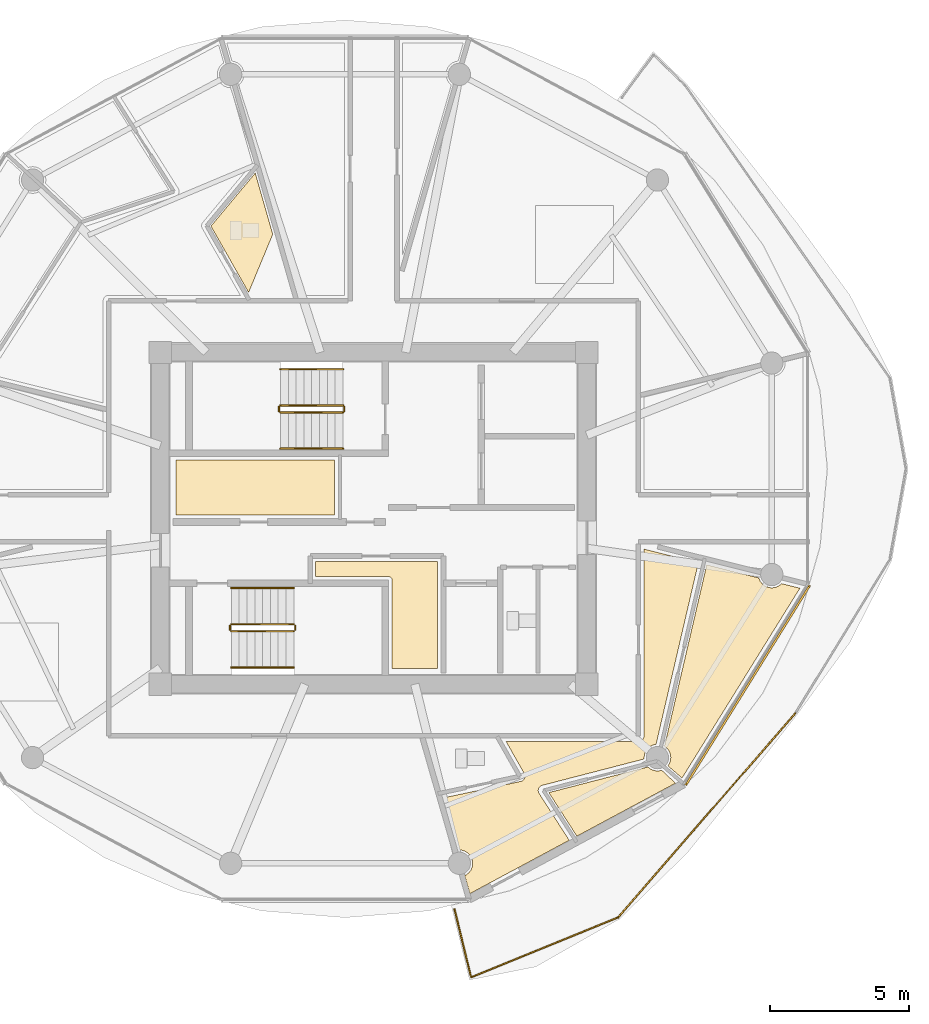
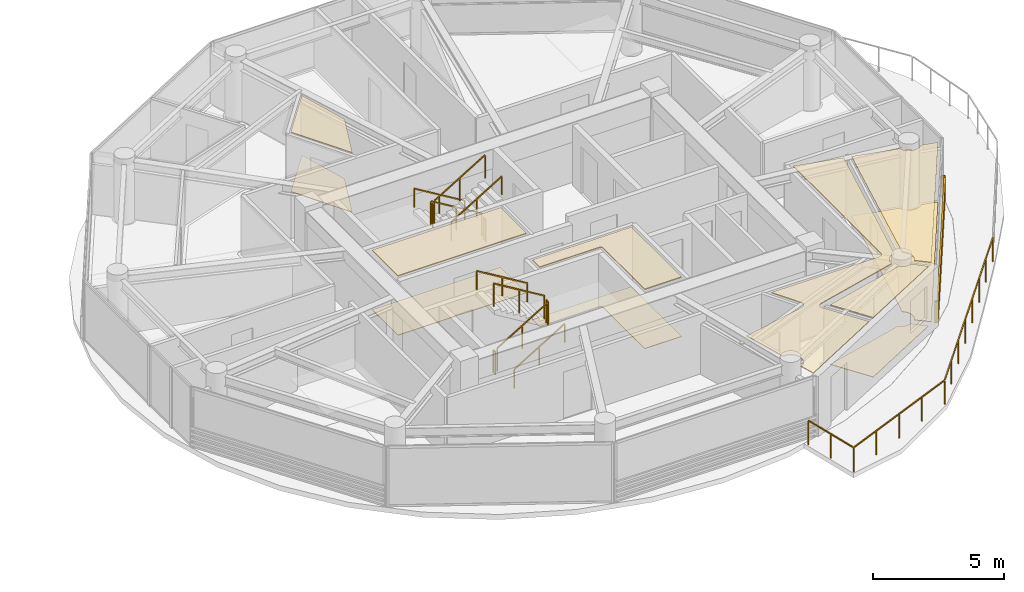
# One storey, part 23 of 25: 13 railings, 11 coverings, 1 shading device.
"""IFC4 building model written with IfcOpenShell, lengths in metres."""

from ifc_helpers import new_model, si_unit, direction, frame, origin, origin_2d, place, context, subcontext, project, spatial, polyline, rectangle, outline, extrude, source, transform, mapped, material, layer, layer_set, type_object, type_shapes, element, save


model = new_model("IFC4")

# Units and contexts
model_context = context("Model", 3, precision=1e-05, world=origin(), true_north=direction((0.0, 1.0)))
body_context = subcontext(model_context, "Body", "Model", "MODEL_VIEW")
ifc_project = project(units=[si_unit("LENGTHUNIT", "METRE"), si_unit("AREAUNIT", "SQUARE_METRE"), si_unit("VOLUMEUNIT", "CUBIC_METRE"), si_unit("PLANEANGLEUNIT", "RADIAN"), si_unit("MASSUNIT", "GRAM", prefix="KILO")], contexts=[model_context])

# Site, building, storey
site_placement = place(None, origin())
site = spatial("IfcSite", under=ifc_project, at=site_placement, CompositionType="ELEMENT")
building_placement = place(site_placement, origin())
building = spatial("IfcBuilding", under=site, at=building_placement, Name="Norrkilde Senior Care Towers", CompositionType="ELEMENT")
storey_placement = place(building_placement, frame((0.0, 0.0, 161.75)))
storey = spatial("IfcBuildingStorey", under=building, at=storey_placement, Name="L50", CompositionType="ELEMENT", Elevation=161.75)

# Coverings
ifc_material_1 = material(Name="Nordic Ash Timber", Category="wood")
ifc_layer_1 = layer(ifc_material_1, 0.044921875)
ifc_layer_set_1 = layer_set([ifc_layer_1], Name="Nordic Ash Timber")
covering_type_1 = type_object("IfcCoveringType", Name="Acoustic Ash Timber Slatted Ceiling 45", PredefinedType="CEILING", material=ifc_layer_set_1)
covering_1_placement = place(storey_placement, frame((0.0, 0.0, 2.764892578125)))
element("IfcCovering", 1, at=covering_1_placement, inside=storey, type_object=covering_type_1, Name="L50 Suspended Ceiling 0318", PredefinedType="CEILING", context=body_context, shape_type="SweptSolid", body=[
    extrude(outline(polyline([(20.919921875, 0.1201171875), (20.919921875, 2.090087890625), (26.60009765625, 2.090087890625), (26.60009765625, 0.1201171875), (20.919921875, 0.1201171875)])), origin(), (0.0, 0.0, 1.0), 0.045166015625),
])
covering_2_placement = place(storey_placement, frame((0.0, 0.0, 2.764892578125)))
element("IfcCovering", 2, at=covering_2_placement, inside=storey, type_object=covering_type_1, Name="L50 Suspended Ceiling 0319", PredefinedType="CEILING", context=body_context, shape_type="SweptSolid", body=[
    extrude(outline(polyline([(28.65478515625, -2.175048828125), (28.65087890625, -2.1640625), (28.645751953125, -2.1533203125), (28.639892578125, -2.143310546875), (28.6328125, -2.1337890625), (28.624755859375, -2.125244140625), (28.6162109375, -2.1171875), (28.606689453125, -2.110107421875), (28.5966796875, -2.104248046875), (28.5859375, -2.09912109375), (28.574951171875, -2.09521484375), (28.5634765625, -2.09228515625), (28.5517578125, -2.090576171875), (28.5400390625, -2.090087890625), (25.919921875, -2.090087890625), (25.919921875, -1.5400390625), (30.2900390625, -1.5400390625), (30.2900390625, -5.3798828125), (28.659912109375, -5.3798828125), (28.659912109375, -2.2099609375), (28.659423828125, -2.1982421875), (28.65771484375, -2.1865234375), (28.65478515625, -2.175048828125)])), origin(), (0.0, 0.0, 1.0), 0.045166015625),
])
covering_3_placement = place(storey_placement, frame((0.0, 0.0, 2.764892578125)))
element("IfcCovering", 3, at=covering_3_placement, inside=storey, type_object=covering_type_1, Name="L50 Suspended Ceiling 0330", PredefinedType="CEILING", context=body_context, shape_type="SweptSolid", body=[
    extrude(outline(polyline([(33.328125, -9.419921875), (33.338623046875, -9.414306640625), (33.344482421875, -9.41064453125), (33.354248046875, -9.40380859375), (33.359619140625, -9.399658203125), (33.36865234375, -9.39208984375), (33.373779296875, -9.38720703125), (33.382080078125, -9.378662109375), (33.386474609375, -9.37353515625), (33.393798828125, -9.3642578125), (33.39794921875, -9.358642578125), (33.404296875, -9.3486328125), (33.40771484375, -9.342529296875), (33.4130859375, -9.33203125), (33.416015625, -9.32568359375), (33.420166015625, -9.314697265625), (33.42236328125, -9.30810546875), (33.42578125, -9.296630859375), (33.42724609375, -9.2900390625), (33.42919921875, -9.2783203125), (33.43017578125, -9.271484375), (33.43115234375, -9.259765625), (33.43115234375, -9.252685546875), (33.430908203125, -9.240966796875), (33.430419921875, -9.23388671875), (33.428955078125, -9.22216796875), (33.427734375, -9.21533203125), (33.42529296875, -9.203857421875), (33.42333984375, -9.197265625), (33.419677734375, -9.18603515625), (33.417236328125, -9.179443359375), (33.412353515625, -9.168701171875), (33.4091796875, -9.162353515625), (33.406494140625, -9.1572265625), (32.748779296875, -8.0), (37.5, -8.0), (37.505859375, -7.999755859375), (37.513671875, -7.99951171875), (37.525390625, -7.998291015625), (37.533203125, -7.9970703125), (37.544677734375, -7.994873046875), (37.552490234375, -7.992919921875), (37.563720703125, -7.989501953125), (37.571044921875, -7.98681640625), (37.58203125, -7.982421875), (37.589111328125, -7.97900390625), (37.599365234375, -7.973388671875), (37.606201171875, -7.969482421875), (37.615966796875, -7.962890625), (37.622314453125, -7.958251953125), (37.63134765625, -7.95068359375), (37.63720703125, -7.945556640625), (37.6455078125, -7.937255859375), (37.65087890625, -7.931396484375), (37.658203125, -7.92236328125), (37.662841796875, -7.916015625), (37.66943359375, -7.90625), (37.673583984375, -7.8994140625), (37.678955078125, -7.888916015625), (37.682373046875, -7.8818359375), (37.68701171875, -7.87109375), (37.689453125, -7.86376953125), (37.69287109375, -7.852294921875), (37.69482421875, -7.8447265625), (37.697265625, -7.833251953125), (37.6982421875, -7.825439453125), (37.699462890625, -7.813720703125), (37.699951171875, -7.805908203125), (37.699951171875, -7.800048828125), (37.699951171875, -1.103759765625), (39.649658203125, -1.593505859375), (38.13232421875, -8.1103515625), (38.058349609375, -8.1201171875), (37.942626953125, -8.16796875), (37.84326171875, -8.244384765625), (37.766845703125, -8.34375), (37.718994140625, -8.45947265625), (37.70263671875, -8.583740234375), (37.708984375, -8.632568359375), (34.0478515625, -9.57958984375), (34.0419921875, -9.581298828125), (34.035400390625, -9.58349609375), (34.024169921875, -9.587646484375), (34.017822265625, -9.59033203125), (34.007080078125, -9.595458984375), (34.0009765625, -9.598876953125), (33.990966796875, -9.60498046875), (33.985107421875, -9.60888671875), (33.9755859375, -9.6162109375), (33.970458984375, -9.62060546875), (33.961669921875, -9.62890625), (33.956787109375, -9.6337890625), (33.948974609375, -9.642822265625), (33.944580078125, -9.648193359375), (33.937744140625, -9.657958984375), (33.933837890625, -9.663818359375), (33.927978515625, -9.674072265625), (33.9248046875, -9.680419921875), (33.919921875, -9.691162109375), (33.917236328125, -9.69775390625), (33.91357421875, -9.708984375), (33.91162109375, -9.715576171875), (33.908935546875, -9.727294921875), (33.90771484375, -9.734130859375), (33.90625, -9.74609375), (33.90576171875, -9.7529296875), (33.905517578125, -9.764892578125), (33.90576171875, -9.771728515625), (33.906494140625, -9.78369140625), (33.907470703125, -9.79052734375), (33.909423828125, -9.80224609375), (33.9111328125, -9.80908203125), (33.914306640625, -9.820556640625), (33.91650390625, -9.8271484375), (33.9208984375, -9.83837890625), (33.923583984375, -9.8447265625), (33.928955078125, -9.855224609375), (33.9326171875, -9.861328125), (33.935546875, -9.866455078125), (35.017578125, -11.548828125), (31.45556640625, -13.46142578125), (31.26953125, -12.810791015625), (31.3173828125, -12.791259765625), (31.416748046875, -12.71484375), (31.492919921875, -12.615478515625), (31.541015625, -12.499755859375), (31.557373046875, -12.37548828125), (31.541015625, -12.251220703125), (31.492919921875, -12.135498046875), (31.416748046875, -12.0361328125), (31.3173828125, -11.959716796875), (31.201416015625, -11.911865234375), (31.077392578125, -11.8955078125), (31.010498046875, -11.904296875), (30.475830078125, -10.034423828125), (33.28076171875, -9.43701171875), (33.28662109375, -9.435546875), (33.293212890625, -9.433837890625), (33.3046875, -9.43017578125), (33.31103515625, -9.427734375), (33.322021484375, -9.423095703125), (33.328125, -9.419921875)])), origin(), (0.0, 0.0, 1.0), 0.045166015625),
])
covering_4_placement = place(storey_placement, frame((0.0, 0.0, 2.764892578125)))
element("IfcCovering", 4, at=covering_4_placement, inside=storey, type_object=covering_type_1, Name="L50 Suspended Ceiling 0331", PredefinedType="CEILING", context=body_context, shape_type="SweptSolid", body=[
    extrude(outline(polyline([(38.830810546875, -9.50146484375), (35.29150390625, -11.40185546875), (34.2861328125, -9.83837890625), (37.83984375, -8.9189453125), (37.84326171875, -8.923095703125), (37.942626953125, -8.99951171875), (38.058349609375, -9.04736328125), (38.1826171875, -9.063720703125), (38.306884765625, -9.04736328125), (38.334228515625, -9.0361328125), (38.830810546875, -9.50146484375)])), origin(), (0.0, 0.0, 1.0), 0.045166015625),
])
covering_5_placement = place(storey_placement, frame((0.0, 0.0, 2.764892578125)))
element("IfcCovering", 5, at=covering_5_placement, inside=storey, type_object=covering_type_1, Name="L50 Suspended Ceiling 0332", PredefinedType="CEILING", context=body_context, shape_type="SweptSolid", body=[
    extrude(outline(polyline([(39.064697265625, -9.31689453125), (38.557373046875, -8.876953125), (38.598388671875, -8.82373046875), (38.646240234375, -8.7080078125), (38.66259765625, -8.583740234375), (38.646240234375, -8.45947265625), (38.598388671875, -8.34375), (38.52197265625, -8.244384765625), (38.434814453125, -8.177490234375), (39.950439453125, -1.6689453125), (41.821044921875, -2.138916015625), (41.8212890625, -2.140625), (41.869140625, -2.25634765625), (41.945556640625, -2.355712890625), (42.044921875, -2.43212890625), (42.16064453125, -2.47998046875), (42.284912109375, -2.496337890625), (42.4091796875, -2.47998046875), (42.52490234375, -2.43212890625), (42.624267578125, -2.355712890625), (42.634033203125, -2.343017578125), (43.291748046875, -2.508056640625), (39.064697265625, -9.31689453125)])), origin(), (0.0, 0.0, 1.0), 0.045166015625),
])

# Railing
ifc_material_2 = material(Name="Anodised Aluminium", Category="aluminium")
railing_type_1 = type_object("IfcRailingType", Name="Balcony Swirl Ribbon Guardrail 1150", PredefinedType="GUARDRAIL", material=ifc_material_2)
railing_1_placement = place(storey_placement, frame((43.12890625, -6.992919921875, 0.0)))
element("IfcRailing", 6, at=railing_1_placement, inside=storey, type_object=railing_type_1, Name="L50 Perimeter Safety Guard 01", PredefinedType="GUARDRAIL", context=body_context, shape_type="SweptSolid", body=[
    extrude(rectangle(XDim=0.048095703125, YDim=0.048095703125, at=origin_2d()), frame((0.0, 0.0, 1.1259765625), z_axis=(-0.655887093823, -0.754859006806, 0.0), x_axis=(0.754859006806, -0.655887093823, 0.0)), (0.0, 0.0, 1.0), 9.660888671875),
    extrude(rectangle(XDim=0.048095703125, YDim=0.048095703125, at=origin_2d()), frame((-6.401123046875, -7.3388671875, 1.1259765625), z_axis=(-0.925786665349, -0.378046359938, 0.0), x_axis=(0.378046359938, -0.925786665349, 0.0)), (0.0, 0.0, 1.0), 5.6083984375),
    extrude(rectangle(XDim=0.048095703125, YDim=0.048095703125, at=origin_2d()), frame((-11.640869140625, -9.434814453125, 1.1259765625), z_axis=(-0.236543151845, 0.971620984394, 0.0), x_axis=(-0.971620984394, -0.236543151845, 0.0)), (0.0, 0.0, 1.0), 2.463134765625),
    extrude(rectangle(XDim=0.0419921875, YDim=0.0419921875, at=origin_2d()), origin(), (0.0, 0.0, 1.0), 1.099853515625),
    extrude(rectangle(XDim=0.0419921875, YDim=0.0419921875, at=origin_2d()), frame((-0.908935546875, -1.046142578125, 0.0)), (0.0, 0.0, 1.0), 1.099853515625),
    extrude(rectangle(XDim=0.0419921875, YDim=0.0419921875, at=origin_2d()), frame((-1.818115234375, -2.092529296875, 0.0)), (0.0, 0.0, 1.0), 1.099853515625),
    extrude(rectangle(XDim=0.0419921875, YDim=0.0419921875, at=origin_2d()), frame((-2.72705078125, -3.138671875, 0.0)), (0.0, 0.0, 1.0), 1.099853515625),
    extrude(rectangle(XDim=0.0419921875, YDim=0.0419921875, at=origin_2d()), frame((-3.63623046875, -4.184814453125, 0.0)), (0.0, 0.0, 1.0), 1.099853515625),
    extrude(rectangle(XDim=0.0419921875, YDim=0.0419921875, at=origin_2d()), frame((-4.545166015625, -5.23095703125, 0.0)), (0.0, 0.0, 1.0), 1.099853515625),
    extrude(rectangle(XDim=0.0419921875, YDim=0.0419921875, at=origin_2d()), frame((-5.454345703125, -6.27734375, 0.0)), (0.0, 0.0, 1.0), 1.099853515625),
    extrude(rectangle(XDim=0.0419921875, YDim=0.0419921875, at=origin_2d()), frame((-6.36328125, -7.323486328125, 0.0)), (0.0, 0.0, 1.0), 1.099853515625),
    extrude(rectangle(XDim=0.0419921875, YDim=0.0419921875, at=origin_2d()), frame((-7.68017578125, -7.861328125, 0.0)), (0.0, 0.0, 1.0), 1.099853515625),
    extrude(rectangle(XDim=0.0419921875, YDim=0.0419921875, at=origin_2d()), frame((-8.9970703125, -8.39892578125, 0.0)), (0.0, 0.0, 1.0), 1.099853515625),
    extrude(rectangle(XDim=0.0419921875, YDim=0.0419921875, at=origin_2d()), frame((-10.314208984375, -8.936767578125, 0.0)), (0.0, 0.0, 1.0), 1.099853515625),
    extrude(rectangle(XDim=0.0419921875, YDim=0.0419921875, at=origin_2d()), frame((-11.631103515625, -9.474609375, 0.0)), (0.0, 0.0, 1.0), 1.099853515625),
    extrude(rectangle(XDim=0.0419921875, YDim=0.0419921875, at=origin_2d()), frame((-11.92724609375, -8.25830078125, 0.0)), (0.0, 0.0, 1.0), 1.099853515625),
    extrude(rectangle(XDim=0.0419921875, YDim=0.0419921875, at=origin_2d()), frame((-12.223388671875, -7.041748046875, 0.0)), (0.0, 0.0, 1.0), 1.099853515625),
])

# Coverings
ifc_material_3 = material(Name="Gypsum Acoustic Board")
ifc_layer_2 = layer(ifc_material_3, 0.030029296875)
ifc_layer_set_2 = layer_set([ifc_layer_2], Name="Gypsum Acoustic Board")
covering_type_2 = type_object("IfcCoveringType", Name="Medical Cleanable Gypsum Ceiling 30", PredefinedType="CEILING", material=ifc_layer_set_2)
covering_6_placement = place(storey_placement, frame((0.0, 0.0, 2.780029296875)))
element("IfcCovering", 7, at=covering_6_placement, inside=storey, type_object=covering_type_2, Name="L50 Suspended Ceiling 0326", PredefinedType="CEILING", context=body_context, shape_type="SweptSolid", body=[
    extrude(outline(polyline([(23.755126953125, 12.384033203125), (24.382568359375, 10.18896484375), (23.517333984375, 8.1025390625), (22.165771484375, 10.480712890625), (23.755126953125, 12.384033203125)])), origin(), (0.0, 0.0, 1.0), 0.030029296875),
])
ifc_material_4 = material(Name="Slip-Resistant Porcelain Stone", Category="masonry")
ifc_layer_3 = layer(ifc_material_4, 0.02490234375)
ifc_layer_set_3 = layer_set([ifc_layer_3], Name="Slip-Resistant Porcelain Stone")
covering_type_3 = type_object("IfcCoveringType", Name="Slip-Resistant Porcelain Flooring 25", PredefinedType="FLOORING", material=ifc_layer_set_3)
covering_7_placement = place(storey_placement, origin())
element("IfcCovering", 8, at=covering_7_placement, inside=storey, type_object=covering_type_3, Name="L50 Floor Finish 0318", PredefinedType="FLOORING", context=body_context, shape_type="SweptSolid", body=[
    extrude(outline(polyline([(20.919921875, 0.1201171875), (20.919921875, 2.090087890625), (26.60009765625, 2.090087890625), (26.60009765625, 0.1201171875), (20.919921875, 0.1201171875)])), origin(), (0.0, 0.0, 1.0), 0.02490234375),
])
covering_8_placement = place(storey_placement, origin())
element("IfcCovering", 9, at=covering_8_placement, inside=storey, type_object=covering_type_3, Name="L50 Floor Finish 0319", PredefinedType="FLOORING", context=body_context, shape_type="SweptSolid", body=[
    extrude(outline(polyline([(28.65478515625, -2.175048828125), (28.65087890625, -2.1640625), (28.645751953125, -2.1533203125), (28.639892578125, -2.143310546875), (28.6328125, -2.1337890625), (28.624755859375, -2.125244140625), (28.6162109375, -2.1171875), (28.606689453125, -2.110107421875), (28.5966796875, -2.104248046875), (28.5859375, -2.09912109375), (28.574951171875, -2.09521484375), (28.5634765625, -2.09228515625), (28.5517578125, -2.090576171875), (28.5400390625, -2.090087890625), (25.919921875, -2.090087890625), (25.919921875, -1.5400390625), (30.2900390625, -1.5400390625), (30.2900390625, -5.3798828125), (28.659912109375, -5.3798828125), (28.659912109375, -2.2099609375), (28.659423828125, -2.1982421875), (28.65771484375, -2.1865234375), (28.65478515625, -2.175048828125)])), origin(), (0.0, 0.0, 1.0), 0.02490234375),
])
covering_9_placement = place(storey_placement, origin())
element("IfcCovering", 10, at=covering_9_placement, inside=storey, type_object=covering_type_3, Name="L50 Floor Finish 0326", PredefinedType="FLOORING", context=body_context, shape_type="SweptSolid", body=[
    extrude(outline(polyline([(23.755126953125, 12.384033203125), (24.382568359375, 10.18896484375), (23.517333984375, 8.1025390625), (22.165771484375, 10.480712890625), (23.755126953125, 12.384033203125)])), origin(), (0.0, 0.0, 1.0), 0.02490234375),
])
covering_10_placement = place(storey_placement, origin())
element("IfcCovering", 11, at=covering_10_placement, inside=storey, type_object=covering_type_3, Name="L50 Floor Finish 0331", PredefinedType="FLOORING", context=body_context, shape_type="SweptSolid", body=[
    extrude(outline(polyline([(38.830810546875, -9.50146484375), (35.29150390625, -11.40185546875), (34.2861328125, -9.83837890625), (37.83984375, -8.9189453125), (37.84326171875, -8.923095703125), (37.942626953125, -8.99951171875), (38.058349609375, -9.04736328125), (38.1826171875, -9.063720703125), (38.306884765625, -9.04736328125), (38.334228515625, -9.0361328125), (38.830810546875, -9.50146484375)])), origin(), (0.0, 0.0, 1.0), 0.02490234375),
])
covering_11_placement = place(storey_placement, origin())
element("IfcCovering", 12, at=covering_11_placement, inside=storey, type_object=covering_type_3, Name="L50 Floor Finish 0332", PredefinedType="FLOORING", context=body_context, shape_type="SweptSolid", body=[
    extrude(outline(polyline([(39.064697265625, -9.31689453125), (38.557373046875, -8.876953125), (38.598388671875, -8.82373046875), (38.646240234375, -8.7080078125), (38.66259765625, -8.583740234375), (38.646240234375, -8.45947265625), (38.598388671875, -8.34375), (38.52197265625, -8.244384765625), (38.434814453125, -8.177490234375), (39.950439453125, -1.6689453125), (41.821044921875, -2.138916015625), (41.8212890625, -2.140625), (41.869140625, -2.25634765625), (41.945556640625, -2.355712890625), (42.044921875, -2.43212890625), (42.16064453125, -2.47998046875), (42.284912109375, -2.496337890625), (42.4091796875, -2.47998046875), (42.52490234375, -2.43212890625), (42.624267578125, -2.355712890625), (42.634033203125, -2.343017578125), (43.291748046875, -2.508056640625), (39.064697265625, -9.31689453125)])), origin(), (0.0, 0.0, 1.0), 0.02490234375),
])

# Railings
ifc_material_5 = material(Name="Stainless Steel", Category="steel")
railing_type_2 = type_object("IfcRailingType", Name="Stair and Terrace Guardrail 1100", PredefinedType="GUARDRAIL", material=ifc_material_5)
railing_2_placement = place(storey_placement, frame((26.89990234375, 4.050048828125, 0.16943359375)))
element("IfcRailing", 13, at=railing_2_placement, inside=storey, type_object=railing_type_2, Name="L50 ST-E1 stair guard 1", PredefinedType="GUARDRAIL", context=body_context, shape_type="SweptSolid", body=[
    extrude(rectangle(XDim=0.048095703125, YDim=0.048095703125, at=origin_2d()), frame((0.0, 0.0, 1.076171875), z_axis=(-0.855553338991, 0.0, 0.51771467445), x_axis=(0.0, -1.0, 0.0)), (0.0, 0.0, 1.0), 2.6181640625),
    extrude(rectangle(XDim=0.0419921875, YDim=0.0419921875, at=origin_2d()), origin(), (0.0, 0.0, 1.0), 1.050048828125),
    extrude(rectangle(XDim=0.0419921875, YDim=0.0419921875, at=origin_2d()), frame((-1.1201171875, 0.0, 0.677734375)), (0.0, 0.0, 1.0), 1.050048828125),
    extrude(rectangle(XDim=0.0419921875, YDim=0.0419921875, at=origin_2d()), frame((-2.239990234375, 0.0, 1.35546875)), (0.0, 0.0, 1.0), 1.050048828125),
])
railing_3_placement = place(storey_placement, frame((24.610107421875, 4.0, 1.52490234375)))
element("IfcRailing", 14, at=railing_3_placement, inside=storey, type_object=railing_type_2, Name="L50 ST-E1 stair guard 2", PredefinedType="GUARDRAIL", context=body_context, shape_type="SweptSolid", body=[
    extrude(rectangle(XDim=0.048095703125, YDim=0.048095703125, at=origin_2d()), frame((0.0, 0.0, 1.076171875), z_axis=(0.0, -1.0, 0.0), x_axis=(1.0, 0.0, 0.0)), (0.0, 0.0, 1.0), 0.14990234375),
    extrude(rectangle(XDim=0.0419921875, YDim=0.0419921875, at=origin_2d()), origin(), (0.0, 0.0, 1.0), 1.050048828125),
    extrude(rectangle(XDim=0.0419921875, YDim=0.0419921875, at=origin_2d()), frame((0.0, -0.14990234375, 0.0)), (0.0, 0.0, 1.0), 1.050048828125),
])
railing_4_placement = place(storey_placement, frame((24.659912109375, 3.800048828125, 1.6943359375)))
element("IfcRailing", 15, at=railing_4_placement, inside=storey, type_object=railing_type_2, Name="L50 ST-E1 stair guard 3", PredefinedType="GUARDRAIL", context=body_context, shape_type="SweptSolid", body=[
    extrude(rectangle(XDim=0.048095703125, YDim=0.048095703125, at=origin_2d()), frame((0.0, 0.0, 1.076171875), z_axis=(0.855512035549, 0.0, 0.517782924622), x_axis=(0.0, 1.0, 0.0)), (0.0, 0.0, 1.0), 2.618408203125),
    extrude(rectangle(XDim=0.0419921875, YDim=0.0419921875, at=origin_2d()), origin(), (0.0, 0.0, 1.0), 1.050048828125),
    extrude(rectangle(XDim=0.0419921875, YDim=0.0419921875, at=origin_2d()), frame((1.1201171875, 0.0, 0.677734375)), (0.0, 0.0, 1.0), 1.050048828125),
    extrude(rectangle(XDim=0.0419921875, YDim=0.0419921875, at=origin_2d()), frame((2.239990234375, 0.0, 1.355712890625)), (0.0, 0.0, 1.0), 1.050048828125),
])
railing_5_placement = place(storey_placement, frame((26.949951171875, 4.0, 0.0)))
element("IfcRailing", 16, at=railing_5_placement, inside=storey, type_object=railing_type_2, Name="L50 ST-E1 stair guard 4", PredefinedType="GUARDRAIL", context=body_context, shape_type="SweptSolid", body=[
    extrude(rectangle(XDim=0.048095703125, YDim=0.048095703125, at=origin_2d()), frame((0.0, 0.0, 1.076171875), z_axis=(0.0, -1.0, 0.0), x_axis=(1.0, 0.0, 0.0)), (0.0, 0.0, 1.0), 0.14990234375),
    extrude(rectangle(XDim=0.0419921875, YDim=0.0419921875, at=origin_2d()), origin(), (0.0, 0.0, 1.0), 1.050048828125),
    extrude(rectangle(XDim=0.0419921875, YDim=0.0419921875, at=origin_2d()), frame((0.0, -0.14990234375, 0.0)), (0.0, 0.0, 1.0), 1.050048828125),
])
railing_6_placement = place(storey_placement, frame((22.89990234375, -4.050048828125, 0.16943359375)))
element("IfcRailing", 17, at=railing_6_placement, inside=storey, type_object=railing_type_2, Name="L50 ST-E2 stair guard 1", PredefinedType="GUARDRAIL", context=body_context, shape_type="SweptSolid", body=[
    extrude(rectangle(XDim=0.048095703125, YDim=0.048095703125, at=origin_2d()), frame((0.0, 0.0, 1.076171875), z_axis=(0.855553338991, 0.0, 0.51771467445), x_axis=(0.0, 1.0, 0.0)), (0.0, 0.0, 1.0), 2.6181640625),
    extrude(rectangle(XDim=0.0419921875, YDim=0.0419921875, at=origin_2d()), origin(), (0.0, 0.0, 1.0), 1.050048828125),
    extrude(rectangle(XDim=0.0419921875, YDim=0.0419921875, at=origin_2d()), frame((1.1201171875, 0.0, 0.677734375)), (0.0, 0.0, 1.0), 1.050048828125),
    extrude(rectangle(XDim=0.0419921875, YDim=0.0419921875, at=origin_2d()), frame((2.239990234375, 0.0, 1.35546875)), (0.0, 0.0, 1.0), 1.050048828125),
])
railing_7_placement = place(storey_placement, frame((25.18994140625, -4.0, 1.52490234375)))
element("IfcRailing", 18, at=railing_7_placement, inside=storey, type_object=railing_type_2, Name="L50 ST-E2 stair guard 2", PredefinedType="GUARDRAIL", context=body_context, shape_type="SweptSolid", body=[
    extrude(rectangle(XDim=0.048095703125, YDim=0.048095703125, at=origin_2d()), frame((0.0, 0.0, 1.076171875), z_axis=(0.0, 1.0, 0.0), x_axis=(-1.0, 0.0, 0.0)), (0.0, 0.0, 1.0), 0.14990234375),
    extrude(rectangle(XDim=0.0419921875, YDim=0.0419921875, at=origin_2d()), origin(), (0.0, 0.0, 1.0), 1.050048828125),
    extrude(rectangle(XDim=0.0419921875, YDim=0.0419921875, at=origin_2d()), frame((0.0, 0.14990234375, 0.0)), (0.0, 0.0, 1.0), 1.050048828125),
])
railing_8_placement = place(storey_placement, frame((25.139892578125, -3.800048828125, 1.6943359375)))
element("IfcRailing", 19, at=railing_8_placement, inside=storey, type_object=railing_type_2, Name="L50 ST-E2 stair guard 3", PredefinedType="GUARDRAIL", context=body_context, shape_type="SweptSolid", body=[
    extrude(rectangle(XDim=0.048095703125, YDim=0.048095703125, at=origin_2d()), frame((0.0, 0.0, 1.076171875), z_axis=(-0.855512035549, 0.0, 0.517782924622), x_axis=(0.0, -1.0, 0.0)), (0.0, 0.0, 1.0), 2.618408203125),
    extrude(rectangle(XDim=0.0419921875, YDim=0.0419921875, at=origin_2d()), origin(), (0.0, 0.0, 1.0), 1.050048828125),
    extrude(rectangle(XDim=0.0419921875, YDim=0.0419921875, at=origin_2d()), frame((-1.1201171875, 0.0, 0.677734375)), (0.0, 0.0, 1.0), 1.050048828125),
    extrude(rectangle(XDim=0.0419921875, YDim=0.0419921875, at=origin_2d()), frame((-2.239990234375, 0.0, 1.355712890625)), (0.0, 0.0, 1.0), 1.050048828125),
])
railing_9_placement = place(storey_placement, frame((22.85009765625, -4.0, 0.0)))
element("IfcRailing", 20, at=railing_9_placement, inside=storey, type_object=railing_type_2, Name="L50 ST-E2 stair guard 4", PredefinedType="GUARDRAIL", context=body_context, shape_type="SweptSolid", body=[
    extrude(rectangle(XDim=0.048095703125, YDim=0.048095703125, at=origin_2d()), frame((0.0, 0.0, 1.076171875), z_axis=(0.0, 1.0, 0.0), x_axis=(-1.0, 0.0, 0.0)), (0.0, 0.0, 1.0), 0.14990234375),
    extrude(rectangle(XDim=0.0419921875, YDim=0.0419921875, at=origin_2d()), origin(), (0.0, 0.0, 1.0), 1.050048828125),
    extrude(rectangle(XDim=0.0419921875, YDim=0.0419921875, at=origin_2d()), frame((0.0, 0.14990234375, 0.0)), (0.0, 0.0, 1.0), 1.050048828125),
])
railing_type_3 = type_object("IfcRailingType", Name="Wall and Stair Handrail 900", PredefinedType="HANDRAIL", material=ifc_material_1)
railing_10_placement = place(storey_placement, frame((26.89990234375, 5.35009765625, 0.16943359375)))
element("IfcRailing", 21, at=railing_10_placement, inside=storey, type_object=railing_type_3, Name="L50 ST-E1 stair handrail 1", PredefinedType="HANDRAIL", context=body_context, shape_type="SweptSolid", body=[
    extrude(rectangle(XDim=0.048095703125, YDim=0.048095703125, at=origin_2d()), frame((0.0, 0.0, 0.8759765625), z_axis=(-0.855553338991, 0.0, 0.51771467445), x_axis=(0.0, -1.0, 0.0)), (0.0, 0.0, 1.0), 2.6181640625),
    extrude(rectangle(XDim=0.0419921875, YDim=0.0419921875, at=origin_2d()), origin(), (0.0, 0.0, 1.0), 0.849853515625),
    extrude(rectangle(XDim=0.0419921875, YDim=0.0419921875, at=origin_2d()), frame((-1.1201171875, 0.0, 0.677734375)), (0.0, 0.0, 1.0), 0.849853515625),
    extrude(rectangle(XDim=0.0419921875, YDim=0.0419921875, at=origin_2d()), frame((-2.239990234375, 0.0, 1.35546875)), (0.0, 0.0, 1.0), 0.849853515625),
])
railing_11_placement = place(storey_placement, frame((24.659912109375, 2.5, 1.6943359375)))
element("IfcRailing", 22, at=railing_11_placement, inside=storey, type_object=railing_type_3, Name="L50 ST-E1 stair handrail 2", PredefinedType="HANDRAIL", context=body_context, shape_type="SweptSolid", body=[
    extrude(rectangle(XDim=0.048095703125, YDim=0.048095703125, at=origin_2d()), frame((0.0, 0.0, 0.8759765625), z_axis=(0.855512035549, 0.0, 0.517782924622), x_axis=(0.0, 1.0, 0.0)), (0.0, 0.0, 1.0), 2.618408203125),
    extrude(rectangle(XDim=0.0419921875, YDim=0.0419921875, at=origin_2d()), origin(), (0.0, 0.0, 1.0), 0.849853515625),
    extrude(rectangle(XDim=0.0419921875, YDim=0.0419921875, at=origin_2d()), frame((1.1201171875, 0.0, 0.677734375)), (0.0, 0.0, 1.0), 0.849853515625),
    extrude(rectangle(XDim=0.0419921875, YDim=0.0419921875, at=origin_2d()), frame((2.239990234375, 0.0, 1.355712890625)), (0.0, 0.0, 1.0), 0.849853515625),
])
railing_12_placement = place(storey_placement, frame((22.89990234375, -5.35009765625, 0.16943359375)))
element("IfcRailing", 23, at=railing_12_placement, inside=storey, type_object=railing_type_3, Name="L50 ST-E2 stair handrail 1", PredefinedType="HANDRAIL", context=body_context, shape_type="SweptSolid", body=[
    extrude(rectangle(XDim=0.048095703125, YDim=0.048095703125, at=origin_2d()), frame((0.0, 0.0, 0.8759765625), z_axis=(0.855553338991, 0.0, 0.51771467445), x_axis=(0.0, 1.0, 0.0)), (0.0, 0.0, 1.0), 2.6181640625),
    extrude(rectangle(XDim=0.0419921875, YDim=0.0419921875, at=origin_2d()), origin(), (0.0, 0.0, 1.0), 0.849853515625),
    extrude(rectangle(XDim=0.0419921875, YDim=0.0419921875, at=origin_2d()), frame((1.1201171875, 0.0, 0.677734375)), (0.0, 0.0, 1.0), 0.849853515625),
    extrude(rectangle(XDim=0.0419921875, YDim=0.0419921875, at=origin_2d()), frame((2.239990234375, 0.0, 1.35546875)), (0.0, 0.0, 1.0), 0.849853515625),
])
railing_13_placement = place(storey_placement, frame((25.139892578125, -2.5, 1.6943359375)))
element("IfcRailing", 24, at=railing_13_placement, inside=storey, type_object=railing_type_3, Name="L50 ST-E2 stair handrail 2", PredefinedType="HANDRAIL", context=body_context, shape_type="SweptSolid", body=[
    extrude(rectangle(XDim=0.048095703125, YDim=0.048095703125, at=origin_2d()), frame((0.0, 0.0, 0.8759765625), z_axis=(-0.855512035549, 0.0, 0.517782924622), x_axis=(0.0, -1.0, 0.0)), (0.0, 0.0, 1.0), 2.618408203125),
    extrude(rectangle(XDim=0.0419921875, YDim=0.0419921875, at=origin_2d()), origin(), (0.0, 0.0, 1.0), 0.849853515625),
    extrude(rectangle(XDim=0.0419921875, YDim=0.0419921875, at=origin_2d()), frame((-1.1201171875, 0.0, 0.677734375)), (0.0, 0.0, 1.0), 0.849853515625),
    extrude(rectangle(XDim=0.0419921875, YDim=0.0419921875, at=origin_2d()), frame((-2.239990234375, 0.0, 1.355712890625)), (0.0, 0.0, 1.0), 0.849853515625),
])

# Shading device
ifc_material_6 = material(Name="Architectural Terracotta", Category="masonry")
shading_device_type = type_object("IfcShadingDeviceType", Name="Horizontal Terracotta Baguette Rack", PredefinedType="USERDEFINED", material=ifc_material_6)
shared_shape = source(origin(), body_context, "Body", "SweptSolid", [
    extrude(rectangle(XDim=0.070068359375, YDim=0.110107421875, at=origin_2d()), frame((0.0, 0.090087890625, 0.125), z_axis=(1.0, 0.0, 0.0), x_axis=(0.0, 1.0, 0.0)), (0.0, 0.0, 1.0), 8.431396484375),
    extrude(rectangle(XDim=0.070068359375, YDim=0.110107421875, at=origin_2d()), frame((0.0, 0.090087890625, 0.375), z_axis=(1.0, 0.0, 0.0), x_axis=(0.0, 1.0, 0.0)), (0.0, 0.0, 1.0), 8.431396484375),
    extrude(rectangle(XDim=0.070068359375, YDim=0.110107421875, at=origin_2d()), frame((0.0, 0.090087890625, 0.625), z_axis=(1.0, 0.0, 0.0), x_axis=(0.0, 1.0, 0.0)), (0.0, 0.0, 1.0), 8.431396484375),
    extrude(rectangle(XDim=0.070068359375, YDim=0.110107421875, at=origin_2d()), frame((0.0, 0.090087890625, 0.875), z_axis=(1.0, 0.0, 0.0), x_axis=(0.0, 1.0, 0.0)), (0.0, 0.0, 1.0), 8.431396484375),
    extrude(rectangle(XDim=0.050048828125, YDim=0.1552734375, at=origin_2d()), frame((0.02490234375, 0.047607421875, 0.0)), (0.0, 0.0, 1.0), 1.0),
    extrude(rectangle(XDim=0.050048828125, YDim=0.1552734375, at=origin_2d()), frame((8.40625, 0.047607421875, 0.0)), (0.0, 0.0, 1.0), 1.0),
])
type_shapes(shading_device_type, [shared_shape])
shading_device_placement = place(storey_placement, frame((43.569580078125, -2.360595703125, 0.080078125), z_axis=(0.0, 0.0, 1.0), x_axis=(-0.527378022296, -0.849630809324, 0.0)))
element("IfcShadingDevice", 25, at=shading_device_placement, inside=storey, type_object=shading_device_type, Name="L50 Drum E Terracotta Baguette Screen 10", ObjectType="BAGUETTE", PredefinedType="USERDEFINED", context=body_context, shape_type="MappedRepresentation", body=[
    mapped(shared_shape, transform((0.0, 0.0, 0.0), x_axis=(1.0, 0.0, 0.0), y_axis=(0.0, 1.0, 0.0), z_axis=(0.0, 0.0, 1.0), scale=1.0)),
])

save(model, "model.ifc")
